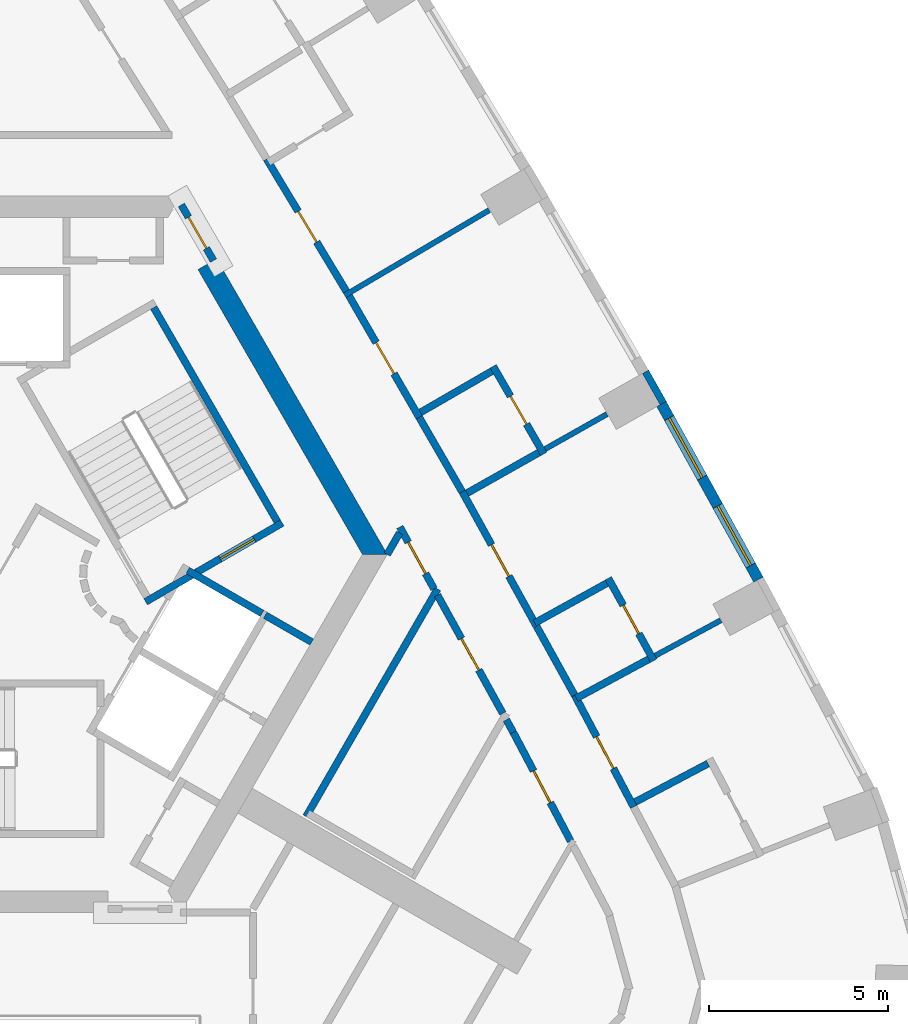
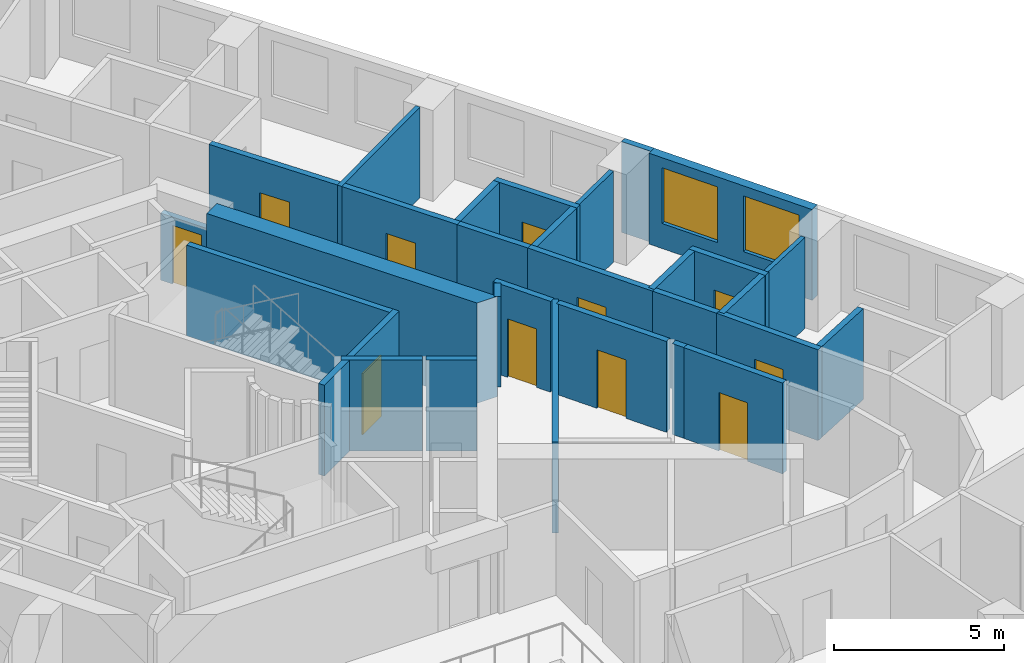
# One storey, part 8 of 12: 30 walls, 11 doors, 2 windows, 13 openings.
"""IFC4 building model written with IfcOpenShell, lengths in metres."""

from ifc_helpers import new_model, si_unit, direction, frame, frame_2d, origin, place, context, subcontext, project, spatial, polyline, rectangle, outline, extrude, material, layer, layer_set, type_object, element, fill, save


model = new_model("IFC4")

# Units and contexts
model_context = context("Model", 3, precision=1e-05, world=origin(), true_north=direction((0.0, 1.0)))
body_context = subcontext(model_context, "Body", "Model", "MODEL_VIEW")
ifc_project = project(units=[si_unit("LENGTHUNIT", "METRE"), si_unit("AREAUNIT", "SQUARE_METRE"), si_unit("VOLUMEUNIT", "CUBIC_METRE"), si_unit("PLANEANGLEUNIT", "RADIAN"), si_unit("MASSUNIT", "GRAM", prefix="KILO")], contexts=[model_context])

# Site, building, storey
site_placement = place(None, origin())
site = spatial("IfcSite", under=ifc_project, at=site_placement, CompositionType="ELEMENT")
building_placement = place(site_placement, origin())
building = spatial("IfcBuilding", under=site, at=building_placement, Name="Entoto Arch Interchange Tower", CompositionType="ELEMENT")
storey_placement = place(building_placement, frame((0.0, 0.0, 255.800048828125)))
storey = spatial("IfcBuildingStorey", under=building, at=storey_placement, Name="L58", CompositionType="ELEMENT", Elevation=255.800048828125)

# Wall, opening, door
ifc_material_1 = material(Name="Reinforced concrete C40/50", Category="concrete")
ifc_layer_1 = layer(ifc_material_1, 0.199951171875)
ifc_layer_set_1 = layer_set([ifc_layer_1], Name="Reinforced concrete C40/50")
wall_type_1 = type_object("IfcWallType", Name="CORE GAP INFILL WALL", PredefinedType="PARTITIONING", material=ifc_layer_set_1)
wall_1_placement = place(storey_placement, frame((6.698974609375, 10.697021484375, 0.0), z_axis=(0.0, 0.0, 1.0), x_axis=(-0.499914839587, 0.866074565589, 0.0)))
wall_1 = element("IfcWall", 1, at=wall_1_placement, inside=storey, type_object=wall_type_1, Name="wall:L58:gap2", PredefinedType="PARTITIONING", context=body_context, shape_type="SweptSolid", body=[
    extrude(rectangle(XDim=1.794189453125, YDim=0.199951171875, at=frame_2d((0.89697265625, 0.0))), origin(), (0.0, 0.0, 1.0), 2.39990234375),
])
opening_1_placement = place(wall_1_placement, frame((0.39697265625, 0.0, 0.0)))
opening_1 = element("IfcOpeningElement", 2, at=opening_1_placement, cuts=wall_1, Name="Opening L58-D92", PredefinedType="OPENING", context=body_context, shape_type="SweptSolid", body=[
    extrude(rectangle(XDim=1.0, YDim=2.10009765625, at=frame_2d((0.5, 1.050048828125))), frame((0.0, 0.10986328125, 0.0), z_axis=(0.0, -1.0, 0.0), x_axis=(1.0, 0.0, 0.0)), (0.0, 0.0, 1.0), 0.219970703125),
])
ifc_material_2 = material(Name="Fire-rated Steel S235 door and frame", Category="steel")
door_type_1 = type_object("IfcDoorType", Name="DOOR FD-10 1000x2100", OperationType="SINGLE_SWING_LEFT", PredefinedType="DOOR", material=ifc_material_2)
door_1_placement = place(opening_1_placement, origin())
door_1 = element("IfcDoor", 3, at=door_1_placement, inside=storey, type_object=door_type_1, Name="door:L58:gap2", OperationType="SINGLE_SWING_LEFT", OverallHeight=2.10009765625, OverallWidth=1.0, PredefinedType="DOOR", context=body_context, shape_type="SweptSolid", body=[
    extrude(rectangle(XDim=1.0, YDim=2.10009765625, at=frame_2d((0.5, 1.050048828125))), frame((0.0, 0.02490234375, 0.0), z_axis=(0.0, -1.0, 0.0), x_axis=(1.0, 0.0, 0.0)), (0.0, 0.0, 1.0), 0.050048828125),
])
fill(opening_1, door_1)

# Walls
ifc_material_3 = material(Name="Concrete C40/50", Category="concrete")
ifc_layer_2 = layer(ifc_material_3, 0.60009765625)
ifc_layer_set_2 = layer_set([ifc_layer_2], Name="Concrete C40/50")
wall_type_2 = type_object("IfcWallType", Name="Core wall 600 C40/50", PredefinedType="SHEAR", material=ifc_layer_set_2)
wall_2_placement = place(storey_placement, frame((0.0, 0.0, -0.340087890625)))
element("IfcWall", 4, at=wall_2_placement, inside=storey, type_object=wall_type_2, Name="Core wall NE L58", PredefinedType="SHEAR", context=body_context, shape_type="SweptSolid", body=[
    extrude(outline(polyline([(6.785888671875, 10.7470703125), (6.26611328125, 10.447021484375), (10.85400390625, 2.5), (11.547119140625, 2.5), (6.785888671875, 10.7470703125)])), origin(), (0.0, 0.0, 1.0), 3.60009765625),
])
ifc_layer_3 = layer(ifc_material_3, 0.199951171875)
ifc_layer_set_3 = layer_set([ifc_layer_3], Name="Concrete C40/50")
wall_type_3 = type_object("IfcWallType", Name="LIFT SHAFT WALL 200", PredefinedType="STANDARD", material=ifc_layer_set_3)
wall_3_placement = place(storey_placement, frame((5.97705078125, 2.052001953125, 0.0), z_axis=(0.0, 0.0, 1.0), x_axis=(0.865973769406, -0.500089422704, 0.0)))
element("IfcWall", 5, at=wall_3_placement, inside=storey, type_object=wall_type_3, Name="Shaft wall SE1 cross 3", PredefinedType="STANDARD", context=body_context, shape_type="SweptSolid", body=[
    extrude(rectangle(XDim=2.3994140625, YDim=0.199951171875, at=frame_2d((1.19970703125, 0.0))), origin(), (0.0, 0.0, 1.0), 3.260009765625),
])
ifc_material_4 = material(Name="Gypsum board partition on steel studs", Category="steel")
ifc_layer_4 = layer(ifc_material_4, 0.14990234375)
ifc_layer_set_4 = layer_set([ifc_layer_4], Name="Gypsum board partition on steel studs")
wall_type_4 = type_object("IfcWallType", Name="PARTITION 150", PredefinedType="PARTITIONING", material=ifc_layer_set_4)
wall_4_placement = place(storey_placement, frame((19.02294921875, -0.330078125, 0.0), z_axis=(0.0, 0.0, 1.0), x_axis=(0.880158309515, 0.474680261009, 0.0)))
element("IfcWall", 6, at=wall_4_placement, inside=storey, type_object=wall_type_4, Name="wall:L58:p134", PredefinedType="PARTITIONING", context=body_context, shape_type="SweptSolid", body=[
    extrude(rectangle(XDim=2.08154296875, YDim=0.14990234375, at=frame_2d((1.040771484375, 0.0))), origin(), (0.0, 0.0, 1.0), 3.260009765625),
])
wall_5_placement = place(storey_placement, frame((15.951904296875, 5.43701171875, 0.0), z_axis=(0.0, 0.0, 1.0), x_axis=(0.870817501488, 0.491606427036, 0.0)))
element("IfcWall", 7, at=wall_5_placement, inside=storey, type_object=wall_type_4, Name="wall:L58:p138", PredefinedType="PARTITIONING", context=body_context, shape_type="SweptSolid", body=[
    extrude(rectangle(XDim=1.98095703125, YDim=0.14990234375, at=frame_2d((0.990478515625, 0.0))), origin(), (0.0, 0.0, 1.0), 3.260009765625),
])
wall_6_placement = place(storey_placement, frame((10.360107421875, 9.72412109375, 0.0), z_axis=(0.0, 0.0, 1.0), x_axis=(0.861211954005, 0.508245974188, 0.0)))
element("IfcWall", 8, at=wall_6_placement, inside=storey, type_object=wall_type_4, Name="wall:L58:p142", PredefinedType="PARTITIONING", context=body_context, shape_type="SweptSolid", body=[
    extrude(rectangle(XDim=4.6806640625, YDim=0.14990234375, at=frame_2d((2.34033203125, 0.0))), origin(), (0.0, 0.0, 1.0), 3.260009765625),
])

# Wall, opening, door
ifc_layer_5 = layer(ifc_material_4, 0.199951171875)
ifc_layer_set_5 = layer_set([ifc_layer_5], Name="Gypsum board partition on steel studs")
wall_type_5 = type_object("IfcWallType", Name="PARTITION 200", PredefinedType="PARTITIONING", material=ifc_layer_set_5)
wall_7_placement = place(storey_placement, frame((12.85400390625, 1.534912109375, 0.0), z_axis=(0.0, 0.0, 1.0), x_axis=(-0.483730980407, 0.875216738068, 0.0)))
wall_7 = element("IfcWall", 9, at=wall_7_placement, inside=storey, type_object=wall_type_5, Name="wall:L58:p004", PredefinedType="PARTITIONING", context=body_context, shape_type="SweptSolid", body=[
    extrude(rectangle(XDim=1.974365234375, YDim=0.199951171875, at=frame_2d((0.9873046875, 0.0))), origin(), (0.0, 0.0, 1.0), 3.260009765625),
])
opening_2_placement = place(wall_7_placement, frame((0.487060546875, 0.0, 0.0)))
opening_2 = element("IfcOpeningElement", 10, at=opening_2_placement, cuts=wall_7, Name="Opening L58-D45", PredefinedType="OPENING", context=body_context, shape_type="SweptSolid", body=[
    extrude(rectangle(XDim=1.0, YDim=2.10009765625, at=frame_2d((0.5, 1.050048828125))), frame((0.0, 0.10986328125, 0.0), z_axis=(0.0, -1.0, 0.0), x_axis=(1.0, 0.0, 0.0)), (0.0, 0.0, 1.0), 0.219970703125),
])
ifc_material_5 = material(Name="Timber door leaf in Steel S235 frame", Category="steel")
door_type_2 = type_object("IfcDoorType", Name="DOOR DS-10 1000x2100", OperationType="SINGLE_SWING_LEFT", PredefinedType="DOOR", material=ifc_material_5)
door_2_placement = place(opening_2_placement, origin())
door_2 = element("IfcDoor", 11, at=door_2_placement, inside=storey, type_object=door_type_2, Name="door:L58:45", OperationType="SINGLE_SWING_LEFT", OverallHeight=2.10009765625, OverallWidth=1.0, PredefinedType="DOOR", context=body_context, shape_type="SweptSolid", body=[
    extrude(rectangle(XDim=1.0, YDim=2.10009765625, at=frame_2d((0.5, 1.050048828125))), frame((0.0, 0.02490234375, 0.0), z_axis=(0.0, -1.0, 0.0), x_axis=(1.0, 0.0, 0.0)), (0.0, 0.0, 1.0), 0.050048828125),
])
fill(opening_2, door_2)

# Wall
wall_8_placement = place(storey_placement, frame((11.89306640625, 3.096923828125, 0.0), z_axis=(0.0, 0.0, 1.0), x_axis=(-0.500911294014, -0.865498628265, 0.0)))
element("IfcWall", 12, at=wall_8_placement, inside=storey, type_object=wall_type_5, Name="wall:L58:p005", PredefinedType="PARTITIONING", context=body_context, shape_type="SweptSolid", body=[
    extrude(rectangle(XDim=0.693115234375, YDim=0.199951171875, at=frame_2d((0.3466796875, 0.0))), origin(), (0.0, 0.0, 1.0), 3.260009765625),
])

# Wall, opening, door
wall_9_placement = place(storey_placement, frame((14.77294921875, -1.94091796875, 0.0), z_axis=(0.0, 0.0, 1.0), x_axis=(-0.483431586589, 0.875382145744, 0.0)))
wall_9 = element("IfcWall", 13, at=wall_9_placement, inside=storey, type_object=wall_type_5, Name="wall:L58:p015", PredefinedType="PARTITIONING", context=body_context, shape_type="SweptSolid", body=[
    extrude(rectangle(XDim=3.77099609375, YDim=0.199951171875, at=frame_2d((1.885498046875, 0.0))), origin(), (0.0, 0.0, 1.0), 3.260009765625),
])
opening_3_placement = place(wall_9_placement, frame((1.385009765625, 0.0, 0.0)))
opening_3 = element("IfcOpeningElement", 14, at=opening_3_placement, cuts=wall_9, Name="Opening L58-D34", PredefinedType="OPENING", context=body_context, shape_type="SweptSolid", body=[
    extrude(rectangle(XDim=1.0, YDim=2.10009765625, at=frame_2d((0.5, 1.050048828125))), frame((0.0, 0.10986328125, 0.0), z_axis=(0.0, -1.0, 0.0), x_axis=(1.0, 0.0, 0.0)), (0.0, 0.0, 1.0), 0.219970703125),
])
door_3_placement = place(opening_3_placement, origin())
door_3 = element("IfcDoor", 15, at=door_3_placement, inside=storey, type_object=door_type_2, Name="door:L58:34", OperationType="SINGLE_SWING_LEFT", OverallHeight=2.10009765625, OverallWidth=1.0, PredefinedType="DOOR", context=body_context, shape_type="SweptSolid", body=[
    extrude(rectangle(XDim=1.0, YDim=2.10009765625, at=frame_2d((0.5, 1.050048828125))), frame((0.0, 0.02490234375, 0.0), z_axis=(0.0, -1.0, 0.0), x_axis=(1.0, 0.0, 0.0)), (0.0, 0.0, 1.0), 0.050048828125),
])
fill(opening_3, door_3)

wall_10_placement = place(storey_placement, frame((16.6669921875, -5.5048828125, 0.0), z_axis=(0.0, 0.0, 1.0), x_axis=(-0.466812680399, 0.884356218624, 0.0)))
wall_10 = element("IfcWall", 16, at=wall_10_placement, inside=storey, type_object=wall_type_5, Name="wall:L58:p017", PredefinedType="PARTITIONING", context=body_context, shape_type="SweptSolid", body=[
    extrude(rectangle(XDim=3.43408203125, YDim=0.199951171875, at=frame_2d((1.717041015625, 0.0))), origin(), (0.0, 0.0, 1.0), 3.260009765625),
])
opening_4_placement = place(wall_10_placement, frame((1.217041015625, 0.0, 0.0)))
opening_4 = element("IfcOpeningElement", 17, at=opening_4_placement, cuts=wall_10, Name="Opening L58-D36", PredefinedType="OPENING", context=body_context, shape_type="SweptSolid", body=[
    extrude(rectangle(XDim=1.0, YDim=2.10009765625, at=frame_2d((0.5, 1.050048828125))), frame((0.0, 0.10986328125, 0.0), z_axis=(0.0, -1.0, 0.0), x_axis=(1.0, 0.0, 0.0)), (0.0, 0.0, 1.0), 0.219970703125),
])
door_4_placement = place(opening_4_placement, origin())
door_4 = element("IfcDoor", 18, at=door_4_placement, inside=storey, type_object=door_type_2, Name="door:L58:36", OperationType="SINGLE_SWING_RIGHT", OverallHeight=2.10009765625, OverallWidth=1.0, PredefinedType="DOOR", context=body_context, shape_type="SweptSolid", body=[
    extrude(rectangle(XDim=1.0, YDim=2.10009765625, at=frame_2d((0.5, 1.050048828125))), frame((0.0, 0.02490234375, 0.0), z_axis=(0.0, -1.0, 0.0), x_axis=(1.0, 0.0, 0.0)), (0.0, 0.0, 1.0), 0.050048828125),
])
fill(opening_4, door_4)

# Wall
wall_11_placement = place(storey_placement, frame((15.06396484375, -2.468017578125, 0.0), z_axis=(0.0, 0.0, 1.0), x_axis=(-0.482338449744, 0.875984942735, 0.0)))
element("IfcWall", 19, at=wall_11_placement, inside=storey, type_object=wall_type_5, Name="wall:L58:p018", PredefinedType="PARTITIONING", context=body_context, shape_type="SweptSolid", body=[
    extrude(rectangle(XDim=0.40185546875, YDim=0.199951171875, at=frame_2d((0.200927734375, 0.0))), origin(), (0.0, 0.0, 1.0), 3.260009765625),
])

# Wall, opening, door
wall_12_placement = place(storey_placement, frame((16.778076171875, -1.428955078125, 0.0), z_axis=(0.0, 0.0, 1.0), x_axis=(0.466493865945, -0.884524433261, 0.0)))
wall_12 = element("IfcWall", 20, at=wall_12_placement, inside=storey, type_object=wall_type_5, Name="wall:L58:p042", PredefinedType="PARTITIONING", context=body_context, shape_type="SweptSolid", body=[
    extrude(rectangle(XDim=3.5263671875, YDim=0.199951171875, at=frame_2d((1.76318359375, 0.0))), origin(), (0.0, 0.0, 1.0), 3.260009765625),
])
opening_5_placement = place(wall_12_placement, frame((1.31298828125, 0.0, 0.0)))
opening_5 = element("IfcOpeningElement", 21, at=opening_5_placement, cuts=wall_12, Name="Opening L58-D06", PredefinedType="OPENING", context=body_context, shape_type="SweptSolid", body=[
    extrude(rectangle(XDim=1.0, YDim=2.10009765625, at=frame_2d((0.5, 1.050048828125))), frame((0.0, 0.10986328125, 0.0), z_axis=(0.0, -1.0, 0.0), x_axis=(1.0, 0.0, 0.0)), (0.0, 0.0, 1.0), 0.219970703125),
])
door_5_placement = place(opening_5_placement, origin())
door_5 = element("IfcDoor", 22, at=door_5_placement, inside=storey, type_object=door_type_1, Name="door:L58:06", OperationType="SINGLE_SWING_RIGHT", OverallHeight=2.10009765625, OverallWidth=1.0, PredefinedType="DOOR", context=body_context, shape_type="SweptSolid", body=[
    extrude(rectangle(XDim=1.0, YDim=2.10009765625, at=frame_2d((0.5, 1.050048828125))), frame((0.0, 0.02490234375, 0.0), z_axis=(0.0, -1.0, 0.0), x_axis=(1.0, 0.0, 0.0)), (0.0, 0.0, 1.0), 0.050048828125),
])
fill(opening_5, door_5)

wall_13_placement = place(storey_placement, frame((13.64111328125, 4.24609375, 0.0), z_axis=(0.0, 0.0, 1.0), x_axis=(0.483405752983, -0.875396411909, 0.0)))
wall_13 = element("IfcWall", 23, at=wall_13_placement, inside=storey, type_object=wall_type_5, Name="wall:L58:p044", PredefinedType="PARTITIONING", context=body_context, shape_type="SweptSolid", body=[
    extrude(rectangle(XDim=4.28369140625, YDim=0.199951171875, at=frame_2d((2.141845703125, 0.0))), origin(), (0.0, 0.0, 1.0), 3.260009765625),
])
opening_6_placement = place(wall_13_placement, frame((1.69189453125, 0.0, 0.0)))
opening_6 = element("IfcOpeningElement", 24, at=opening_6_placement, cuts=wall_13, Name="Opening L58-D08", PredefinedType="OPENING", context=body_context, shape_type="SweptSolid", body=[
    extrude(rectangle(XDim=1.0, YDim=2.10009765625, at=frame_2d((0.5, 1.050048828125))), frame((0.0, 0.10986328125, 0.0), z_axis=(0.0, -1.0, 0.0), x_axis=(1.0, 0.0, 0.0)), (0.0, 0.0, 1.0), 0.219970703125),
])
door_6_placement = place(opening_6_placement, origin())
door_6 = element("IfcDoor", 25, at=door_6_placement, inside=storey, type_object=door_type_1, Name="door:L58:08", OperationType="SINGLE_SWING_RIGHT", OverallHeight=2.10009765625, OverallWidth=1.0, PredefinedType="DOOR", context=body_context, shape_type="SweptSolid", body=[
    extrude(rectangle(XDim=1.0, YDim=2.10009765625, at=frame_2d((0.5, 1.050048828125))), frame((0.0, 0.02490234375, 0.0), z_axis=(0.0, -1.0, 0.0), x_axis=(1.0, 0.0, 0.0)), (0.0, 0.0, 1.0), 0.050048828125),
])
fill(opening_6, door_6)

# Wall
wall_14_placement = place(storey_placement, frame((15.715087890625, 0.490966796875, 0.0), z_axis=(0.0, 0.0, 1.0), x_axis=(0.483421428323, -0.875387755591, 0.0)))
element("IfcWall", 26, at=wall_14_placement, inside=storey, type_object=wall_type_5, Name="wall:L58:p045", PredefinedType="PARTITIONING", context=body_context, shape_type="SweptSolid", body=[
    extrude(rectangle(XDim=2.1943359375, YDim=0.199951171875, at=frame_2d((1.09716796875, 0.0))), origin(), (0.0, 0.0, 1.0), 3.260009765625),
])

# Wall, opening, door
wall_15_placement = place(storey_placement, frame((10.48388671875, 9.7099609375, 0.0), z_axis=(0.0, 0.0, 1.0), x_axis=(0.500034145141, -0.866005689181, 0.0)))
wall_15 = element("IfcWall", 27, at=wall_15_placement, inside=storey, type_object=wall_type_5, Name="wall:L58:p046", PredefinedType="PARTITIONING", context=body_context, shape_type="SweptSolid", body=[
    extrude(rectangle(XDim=3.909912109375, YDim=0.199951171875, at=frame_2d((1.955078125, 0.0))), origin(), (0.0, 0.0, 1.0), 3.260009765625),
])
opening_7_placement = place(wall_15_placement, frame((1.5048828125, 0.0, 0.0)))
opening_7 = element("IfcOpeningElement", 28, at=opening_7_placement, cuts=wall_15, Name="Opening L58-D10", PredefinedType="OPENING", context=body_context, shape_type="SweptSolid", body=[
    extrude(rectangle(XDim=1.0, YDim=2.10009765625, at=frame_2d((0.5, 1.050048828125))), frame((0.0, 0.10986328125, 0.0), z_axis=(0.0, -1.0, 0.0), x_axis=(1.0, 0.0, 0.0)), (0.0, 0.0, 1.0), 0.219970703125),
])
door_7_placement = place(opening_7_placement, origin())
door_7 = element("IfcDoor", 29, at=door_7_placement, inside=storey, type_object=door_type_1, Name="door:L58:10", OperationType="SINGLE_SWING_LEFT", OverallHeight=2.10009765625, OverallWidth=1.0, PredefinedType="DOOR", context=body_context, shape_type="SweptSolid", body=[
    extrude(rectangle(XDim=1.0, YDim=2.10009765625, at=frame_2d((0.5, 1.050048828125))), frame((0.0, 0.02490234375, 0.0), z_axis=(0.0, -1.0, 0.0), x_axis=(1.0, 0.0, 0.0)), (0.0, 0.0, 1.0), 0.050048828125),
])
fill(opening_7, door_7)

# Wall
wall_16_placement = place(storey_placement, frame((12.43896484375, 6.323974609375, 0.0), z_axis=(0.0, 0.0, 1.0), x_axis=(0.499913221443, -0.866075499611, 0.0)))
element("IfcWall", 30, at=wall_16_placement, inside=storey, type_object=wall_type_5, Name="wall:L58:p047", PredefinedType="PARTITIONING", context=body_context, shape_type="SweptSolid", body=[
    extrude(rectangle(XDim=2.400390625, YDim=0.199951171875, at=frame_2d((1.2001953125, 0.0))), origin(), (0.0, 0.0, 1.0), 3.260009765625),
])

# Wall, opening, door
wall_17_placement = place(storey_placement, frame((8.180908203125, 13.531982421875, 0.0), z_axis=(0.0, 0.0, 1.0), x_axis=(0.51625987265, -0.856431984393, 0.0)))
wall_17 = element("IfcWall", 31, at=wall_17_placement, inside=storey, type_object=wall_type_5, Name="wall:L58:p048", PredefinedType="PARTITIONING", context=body_context, shape_type="SweptSolid", body=[
    extrude(rectangle(XDim=4.31201171875, YDim=0.199951171875, at=frame_2d((2.156005859375, 0.0))), origin(), (0.0, 0.0, 1.0), 3.260009765625),
])
opening_8_placement = place(wall_17_placement, frame((1.7060546875, 0.0, 0.0)))
opening_8 = element("IfcOpeningElement", 32, at=opening_8_placement, cuts=wall_17, Name="Opening L58-D12", PredefinedType="OPENING", context=body_context, shape_type="SweptSolid", body=[
    extrude(rectangle(XDim=1.0, YDim=2.10009765625, at=frame_2d((0.5, 1.050048828125))), frame((0.0, 0.10986328125, 0.0), z_axis=(0.0, -1.0, 0.0), x_axis=(1.0, 0.0, 0.0)), (0.0, 0.0, 1.0), 0.219970703125),
])
door_8_placement = place(opening_8_placement, origin())
door_8 = element("IfcDoor", 33, at=door_8_placement, inside=storey, type_object=door_type_1, Name="door:L58:12", OperationType="SINGLE_SWING_LEFT", OverallHeight=2.10009765625, OverallWidth=1.0, PredefinedType="DOOR", context=body_context, shape_type="SweptSolid", body=[
    extrude(rectangle(XDim=1.0, YDim=2.10009765625, at=frame_2d((0.5, 1.050048828125))), frame((0.0, 0.02490234375, 0.0), z_axis=(0.0, -1.0, 0.0), x_axis=(1.0, 0.0, 0.0)), (0.0, 0.0, 1.0), 0.050048828125),
])
fill(opening_8, door_8)

# Walls
wall_18_placement = place(storey_placement, frame((8.14111328125, 0.801025390625, 0.0), z_axis=(0.0, 0.0, 1.0), x_axis=(0.866434738017, -0.499290341141, 0.0)))
element("IfcWall", 34, at=wall_18_placement, inside=storey, type_object=wall_type_5, Name="wall:L58:p082", PredefinedType="PARTITIONING", context=body_context, shape_type="SweptSolid", body=[
    extrude(rectangle(XDim=1.500244140625, YDim=0.199951171875, at=frame_2d((0.75, 0.0))), origin(), (0.0, 0.0, 1.0), 3.260009765625),
])
wall_19_placement = place(storey_placement, frame((9.284912109375, -4.818115234375, 0.0), z_axis=(0.0, 0.0, 1.0), x_axis=(0.499962569651, 0.866047013128, 0.0)))
element("IfcWall", 35, at=wall_19_placement, inside=storey, type_object=wall_type_5, Name="wall:L58:p092", PredefinedType="PARTITIONING", context=body_context, shape_type="SweptSolid", body=[
    extrude(rectangle(XDim=7.33447265625, YDim=0.199951171875, at=frame_2d((3.667236328125, 0.0))), origin(), (0.0, 0.0, 1.0), 3.260009765625),
])
wall_20_placement = place(storey_placement, frame((20.4990234375, -3.339111328125, 0.0), z_axis=(0.0, 0.0, 1.0), x_axis=(-0.884293452572, -0.466931568583, 0.0)))
element("IfcWall", 36, at=wall_20_placement, inside=storey, type_object=wall_type_5, Name="wall:L58:p133", PredefinedType="PARTITIONING", context=body_context, shape_type="SweptSolid", body=[
    extrude(rectangle(XDim=2.300048828125, YDim=0.199951171875, at=frame_2d((1.14990234375, 0.0))), origin(), (0.0, 0.0, 1.0), 3.260009765625),
])
wall_21_placement = place(storey_placement, frame((16.823974609375, -1.51806640625, 0.0), z_axis=(0.0, 0.0, 1.0), x_axis=(0.87996932648, 0.475030508972, 0.0)))
element("IfcWall", 37, at=wall_21_placement, inside=storey, type_object=wall_type_5, Name="wall:L58:p135", PredefinedType="PARTITIONING", context=body_context, shape_type="SweptSolid", body=[
    extrude(rectangle(XDim=2.298828125, YDim=0.199951171875, at=frame_2d((1.1494140625, 0.0))), origin(), (0.0, 0.0, 1.0), 3.260009765625),
])

# Wall, opening, door
wall_22_placement = place(storey_placement, frame((18.98388671875, -0.466064453125, 0.0), z_axis=(0.0, 0.0, 1.0), x_axis=(-0.482922337539, 0.875663186337, 0.0)))
wall_22 = element("IfcWall", 38, at=wall_22_placement, inside=storey, type_object=wall_type_5, Name="wall:L58:p136", PredefinedType="PARTITIONING", context=body_context, shape_type="SweptSolid", body=[
    extrude(rectangle(XDim=2.623291015625, YDim=0.199951171875, at=frame_2d((1.3115234375, 0.0))), origin(), (0.0, 0.0, 1.0), 3.260009765625),
])
opening_9_placement = place(wall_22_placement, frame((0.861083984375, 0.0, 0.0)))
opening_9 = element("IfcOpeningElement", 39, at=opening_9_placement, cuts=wall_22, Name="Opening L58-D09", PredefinedType="OPENING", context=body_context, shape_type="SweptSolid", body=[
    extrude(rectangle(XDim=0.89990234375, YDim=2.10009765625, at=frame_2d((0.449951171875, 1.050048828125))), frame((0.0, 0.10986328125, 0.0), z_axis=(0.0, -1.0, 0.0), x_axis=(1.0, 0.0, 0.0)), (0.0, 0.0, 1.0), 0.219970703125),
])
door_type_3 = type_object("IfcDoorType", Name="DOOR DS-09 900x2100", OperationType="SINGLE_SWING_LEFT", PredefinedType="DOOR", material=ifc_material_5)
door_9_placement = place(opening_9_placement, origin())
door_9 = element("IfcDoor", 40, at=door_9_placement, inside=storey, type_object=door_type_3, Name="door:L58:09", OperationType="SINGLE_SWING_LEFT", OverallHeight=2.10009765625, OverallWidth=0.89990234375, PredefinedType="DOOR", context=body_context, shape_type="SweptSolid", body=[
    extrude(rectangle(XDim=0.89990234375, YDim=2.10009765625, at=frame_2d((0.449951171875, 1.050048828125))), frame((0.0, 0.02490234375, 0.0), z_axis=(0.0, -1.0, 0.0), x_axis=(1.0, 0.0, 0.0)), (0.0, 0.0, 1.0), 0.050048828125),
])
fill(opening_9, door_9)

# Walls
wall_23_placement = place(storey_placement, frame((17.677001953125, 1.695068359375, 0.0), z_axis=(0.0, 0.0, 1.0), x_axis=(-0.875306576455, -0.483568399727, 0.0)))
element("IfcWall", 41, at=wall_23_placement, inside=storey, type_object=wall_type_5, Name="wall:L58:p137", PredefinedType="PARTITIONING", context=body_context, shape_type="SweptSolid", body=[
    extrude(rectangle(XDim=2.2998046875, YDim=0.199951171875, at=frame_2d((1.14990234375, 0.0))), origin(), (0.0, 0.0, 1.0), 3.260009765625),
])
wall_24_placement = place(storey_placement, frame((13.77587890625, 4.2080078125, 0.0), z_axis=(0.0, 0.0, 1.0), x_axis=(0.870669592898, 0.491868336044, 0.0)))
element("IfcWall", 42, at=wall_24_placement, inside=storey, type_object=wall_type_5, Name="wall:L58:p139", PredefinedType="PARTITIONING", context=body_context, shape_type="SweptSolid", body=[
    extrude(rectangle(XDim=2.299560546875, YDim=0.199951171875, at=frame_2d((1.14990234375, 0.0))), origin(), (0.0, 0.0, 1.0), 3.260009765625),
])

# Wall, opening, door
wall_25_placement = place(storey_placement, frame((15.9150390625, 5.301025390625, 0.0), z_axis=(0.0, 0.0, 1.0), x_axis=(-0.499709979351, 0.866192782547, 0.0)))
wall_25 = element("IfcWall", 43, at=wall_25_placement, inside=storey, type_object=wall_type_5, Name="wall:L58:p140", PredefinedType="PARTITIONING", context=body_context, shape_type="SweptSolid", body=[
    extrude(rectangle(XDim=2.823974609375, YDim=0.199951171875, at=frame_2d((1.412109375, 0.0))), origin(), (0.0, 0.0, 1.0), 3.260009765625),
])
opening_10_placement = place(wall_25_placement, frame((0.9619140625, 0.0, 0.0)))
opening_10 = element("IfcOpeningElement", 44, at=opening_10_placement, cuts=wall_25, Name="Opening L58-D11", PredefinedType="OPENING", context=body_context, shape_type="SweptSolid", body=[
    extrude(rectangle(XDim=0.89990234375, YDim=2.10009765625, at=frame_2d((0.449951171875, 1.050048828125))), frame((0.0, 0.10986328125, 0.0), z_axis=(0.0, -1.0, 0.0), x_axis=(1.0, 0.0, 0.0)), (0.0, 0.0, 1.0), 0.219970703125),
])
door_10_placement = place(opening_10_placement, origin())
door_10 = element("IfcDoor", 45, at=door_10_placement, inside=storey, type_object=door_type_3, Name="door:L58:11", OperationType="SINGLE_SWING_LEFT", OverallHeight=2.10009765625, OverallWidth=0.89990234375, PredefinedType="DOOR", context=body_context, shape_type="SweptSolid", body=[
    extrude(rectangle(XDim=0.89990234375, YDim=2.10009765625, at=frame_2d((0.449951171875, 1.050048828125))), frame((0.0, 0.02490234375, 0.0), z_axis=(0.0, -1.0, 0.0), x_axis=(1.0, 0.0, 0.0)), (0.0, 0.0, 1.0), 0.050048828125),
])
fill(opening_10, door_10)

# Wall
wall_26_placement = place(storey_placement, frame((14.467041015625, 7.611083984375, 0.0), z_axis=(0.0, 0.0, 1.0), x_axis=(-0.865716862402, -0.500534028967, 0.0)))
element("IfcWall", 46, at=wall_26_placement, inside=storey, type_object=wall_type_5, Name="wall:L58:p141", PredefinedType="PARTITIONING", context=body_context, shape_type="SweptSolid", body=[
    extrude(rectangle(XDim=2.2998046875, YDim=0.199951171875, at=frame_2d((1.14990234375, 0.0))), origin(), (0.0, 0.0, 1.0), 3.260009765625),
])

# Wall, opening, door
ifc_layer_6 = layer(ifc_material_3, 0.199951171875)
ifc_layer_set_6 = layer_set([ifc_layer_6], Name="Concrete C40/50")
wall_type_6 = type_object("IfcWallType", Name="STAIR ENCLOSURE WALL 200", PredefinedType="STANDARD", material=ifc_layer_set_6)
wall_27_placement = place(storey_placement, frame((4.805908203125, 1.176025390625, 0.0), z_axis=(0.0, 0.0, 1.0), x_axis=(0.866059941101, 0.499940174841, 0.0)))
wall_27 = element("IfcWall", 47, at=wall_27_placement, inside=storey, type_object=wall_type_6, Name="Stair wall ST-NE near", PredefinedType="STANDARD", context=body_context, shape_type="SweptSolid", body=[
    extrude(rectangle(XDim=4.400390625, YDim=0.199951171875, at=frame_2d((2.2001953125, 0.0))), origin(), (0.0, 0.0, 1.0), 3.260009765625),
])
opening_11_placement = place(wall_27_placement, frame((2.39990234375, 0.0, 0.0)))
opening_11 = element("IfcOpeningElement", 48, at=opening_11_placement, cuts=wall_27, Name="Opening SD-ST-NE-L58-E", PredefinedType="OPENING", context=body_context, shape_type="SweptSolid", body=[
    extrude(rectangle(XDim=1.10009765625, YDim=2.199951171875, at=frame_2d((0.550048828125, 1.10009765625))), frame((0.0, 0.10986328125, 0.0), z_axis=(0.0, -1.0, 0.0), x_axis=(1.0, 0.0, 0.0)), (0.0, 0.0, 1.0), 0.219970703125),
])
ifc_material_6 = material(Name="Steel S235", Category="steel")
door_type_4 = type_object("IfcDoorType", Name="STAIR DOOR SD1 1100x2200", OperationType="SINGLE_SWING_LEFT", PredefinedType="DOOR", material=ifc_material_6)
door_11_placement = place(opening_11_placement, origin())
door_11 = element("IfcDoor", 49, at=door_11_placement, inside=storey, type_object=door_type_4, Name="Stair door ST-NE L58 end", OperationType="SINGLE_SWING_LEFT", OverallHeight=2.199951171875, OverallWidth=1.10009765625, PredefinedType="DOOR", context=body_context, shape_type="SweptSolid", body=[
    extrude(rectangle(XDim=1.10009765625, YDim=2.199951171875, at=frame_2d((0.550048828125, 1.10009765625))), frame((0.0, 0.02490234375, 0.0), z_axis=(0.0, -1.0, 0.0), x_axis=(1.0, 0.0, 0.0)), (0.0, 0.0, 1.0), 0.050048828125),
])
fill(opening_11, door_11)

# Wall
wall_28_placement = place(storey_placement, frame((8.47998046875, 3.412109375, 0.0), z_axis=(0.0, 0.0, 1.0), x_axis=(-0.499978703459, 0.866037698999, 0.0)))
element("IfcWall", 50, at=wall_28_placement, inside=storey, type_object=wall_type_6, Name="Stair wall ST-NE back", PredefinedType="STANDARD", context=body_context, shape_type="SweptSolid", body=[
    extrude(rectangle(XDim=6.900146484375, YDim=0.199951171875, at=frame_2d((3.4501953125, 0.0))), origin(), (0.0, 0.0, 1.0), 3.260009765625),
])

# Wall, openings, windows
ifc_material_7 = material(Name="Welded tuff (ignimbrite) cladding, warm buff", Category="masonry")
ifc_layer_7 = layer(ifc_material_7, 0.300048828125)
ifc_layer_set_7 = layer_set([ifc_layer_7], Name="Welded tuff (ignimbrite) cladding, warm buff")
wall_type_7 = type_object("IfcWallType", Name="STONE INFILL WALL 300", PredefinedType="STANDARD", material=ifc_layer_set_7)
wall_29_placement = place(storey_placement, frame((21.906982421875, 1.7939453125, 0.0), z_axis=(0.0, 0.0, 1.0), x_axis=(-0.483469062695, 0.875361448441, 0.0)))
wall_29 = element("IfcWall", 51, at=wall_29_placement, inside=storey, type_object=wall_type_7, Name="Facade wall NE-02 L58", PredefinedType="STANDARD", context=body_context, shape_type="SweptSolid", body=[
    extrude(rectangle(XDim=5.601318359375, YDim=0.300048828125, at=frame_2d((2.80078125, 0.0))), origin(), (0.0, 0.0, 1.0), 3.260009765625),
])
opening_12_placement = place(wall_29_placement, frame((0.449951171875, 0.0, 0.89990234375)))
opening_12 = element("IfcOpeningElement", 52, at=opening_12_placement, cuts=wall_29, Name="Opening WH-C", PredefinedType="OPENING", context=body_context, shape_type="SweptSolid", body=[
    extrude(rectangle(XDim=1.89990234375, YDim=2.0, at=frame_2d((0.949951171875, 1.0))), frame((0.0, 0.16015625, 0.0), z_axis=(0.0, -1.0, 0.0), x_axis=(1.0, 0.0, 0.0)), (0.0, 0.0, 1.0), 0.320068359375),
])
opening_13_placement = place(wall_29_placement, frame((3.2509765625, 0.0, 0.89990234375)))
opening_13 = element("IfcOpeningElement", 53, at=opening_13_placement, cuts=wall_29, Name="Opening WH-C", PredefinedType="OPENING", context=body_context, shape_type="SweptSolid", body=[
    extrude(rectangle(XDim=1.89990234375, YDim=2.0, at=frame_2d((0.949951171875, 1.0))), frame((0.0, 0.16015625, 0.0), z_axis=(0.0, -1.0, 0.0), x_axis=(1.0, 0.0, 0.0)), (0.0, 0.0, 1.0), 0.320068359375),
])
ifc_material_8 = material(Name="Clear glass, low-e double glazed", Category="glass")
window_type = type_object("IfcWindowType", Name="WINDOW WH-C 1900x2000", PartitioningType="DOUBLE_PANEL_VERTICAL", PredefinedType="WINDOW", material=ifc_material_8)
window_1_placement = place(opening_12_placement, origin())
window_1 = element("IfcWindow", 54, at=window_1_placement, inside=storey, type_object=window_type, Name="Window WH-C NE-02 L58", OverallHeight=2.0, OverallWidth=1.89990234375, PartitioningType="SINGLE_PANEL", PredefinedType="WINDOW", context=body_context, shape_type="SweptSolid", body=[
    extrude(rectangle(XDim=1.89990234375, YDim=2.0, at=frame_2d((0.949951171875, 1.0))), frame((0.0, 0.030029296875, 0.0), z_axis=(0.0, -1.0, 0.0), x_axis=(1.0, 0.0, 0.0)), (0.0, 0.0, 1.0), 0.06005859375),
])
fill(opening_12, window_1)
window_2_placement = place(opening_13_placement, origin())
window_2 = element("IfcWindow", 55, at=window_2_placement, inside=storey, type_object=window_type, Name="Window WH-C NE-02 L58", OverallHeight=2.0, OverallWidth=1.89990234375, PartitioningType="SINGLE_PANEL", PredefinedType="WINDOW", context=body_context, shape_type="SweptSolid", body=[
    extrude(rectangle(XDim=1.89990234375, YDim=2.0, at=frame_2d((0.949951171875, 1.0))), frame((0.0, 0.030029296875, 0.0), z_axis=(0.0, -1.0, 0.0), x_axis=(1.0, 0.0, 0.0)), (0.0, 0.0, 1.0), 0.06005859375),
])
fill(opening_13, window_2)

# Wall
ifc_layer_8 = layer(ifc_material_7, 0.199951171875)
ifc_layer_set_8 = layer_set([ifc_layer_8], Name="Welded tuff (ignimbrite) cladding, warm buff")
wall_type_8 = type_object("IfcWallType", Name="STONE PIER CLADDING 200", PredefinedType="STANDARD", material=ifc_layer_set_8)
wall_30_placement = place(storey_placement, frame((19.2470703125, 6.722900390625, 0.0), z_axis=(0.0, 0.0, 1.0), x_axis=(-0.491928603027, 0.870635543453, 0.0)))
element("IfcWall", 56, at=wall_30_placement, inside=storey, type_object=wall_type_8, Name="Stone pier NE03 L58", PredefinedType="STANDARD", context=body_context, shape_type="SweptSolid", body=[
    extrude(rectangle(XDim=1.00048828125, YDim=0.199951171875, at=frame_2d((0.500244140625, 0.0))), origin(), (0.0, 0.0, 1.0), 3.260009765625),
])

save(model, "model.ifc")
